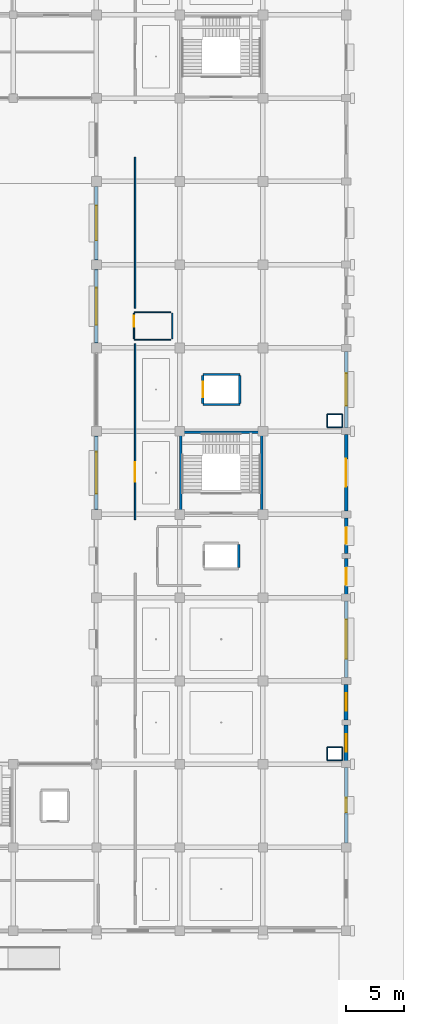
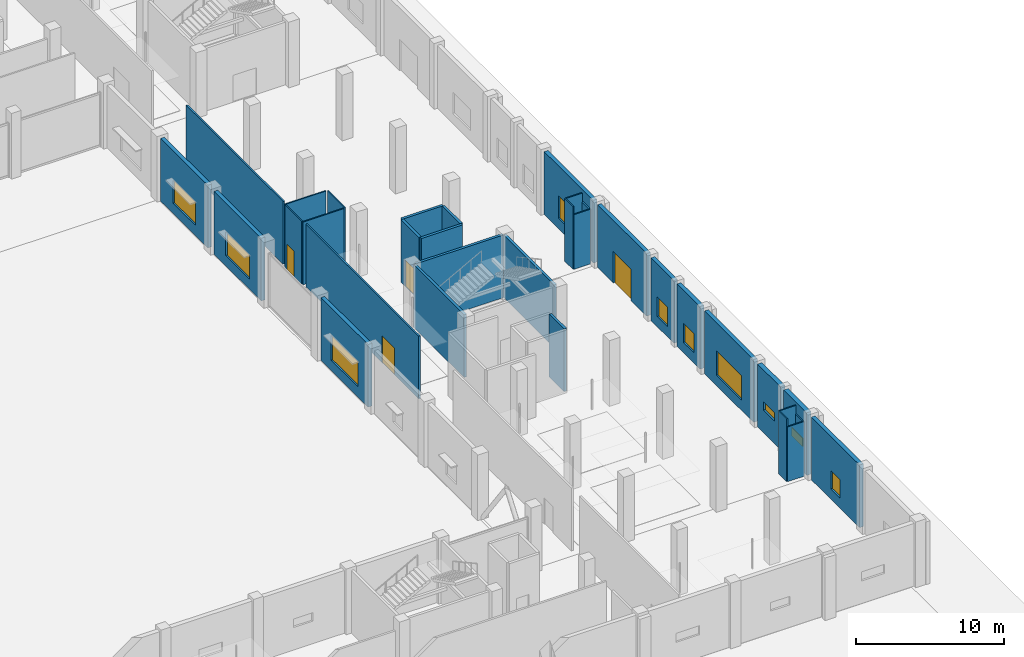
# One storey, part 65 of 90: 33 walls, 10 windows, 4 doors, 14 openings.
"""IFC4 building model written with IfcOpenShell, lengths in metres."""

from ifc_helpers import new_model, si_unit, direction, frame, frame_2d, origin, place, context, subcontext, project, spatial, rectangle, extrude, material, layer, layer_set, type_object, element, fill, save


model = new_model("IFC4")

# Units and contexts
model_context = context("Model", 3, precision=1e-05, world=origin(), true_north=direction((0.0, 1.0)))
body_context = subcontext(model_context, "Body", "Model", "MODEL_VIEW")
ifc_project = project(units=[si_unit("LENGTHUNIT", "METRE"), si_unit("AREAUNIT", "SQUARE_METRE"), si_unit("VOLUMEUNIT", "CUBIC_METRE"), si_unit("PLANEANGLEUNIT", "RADIAN"), si_unit("MASSUNIT", "GRAM", prefix="KILO")], contexts=[model_context])

# Site, building, storey
site_placement = place(None, origin())
site = spatial("IfcSite", under=ifc_project, at=site_placement, CompositionType="ELEMENT")
building_placement = place(site_placement, origin())
building = spatial("IfcBuilding", under=site, at=building_placement, Name="Kangsadwip Square Police Headquarters", CompositionType="ELEMENT")
storey_placement = place(building_placement, origin())
storey = spatial("IfcBuildingStorey", under=building, at=storey_placement, Name="L00", CompositionType="ELEMENT", Elevation=0.0)

# Wall, opening, door
ifc_material_1 = material(Name="Fire-rated double gypsum board acoustic stud partition", Category="masonry")
ifc_layer_1 = layer(ifc_material_1, 0.1201171875)
ifc_layer_set_1 = layer_set([ifc_layer_1], Name="Fire-rated double gypsum board acoustic stud partition")
wall_type_1 = type_object("IfcWallType", Name="AcousticPartition120", PredefinedType="PARTITIONING", material=ifc_layer_set_1)
wall_1_placement = place(storey_placement, frame((147.35009765625, 57.14990234375, 0.0), z_axis=(0.0, 0.0, 1.0), x_axis=(0.0, 1.0, 0.0)))
wall_1 = element("IfcWall", 1, at=wall_1_placement, inside=storey, type_object=wall_type_1, Name="Interior Wall WI-L00-0697", PredefinedType="PARTITIONING", context=body_context, shape_type="SweptSolid", body=[
    extrude(rectangle(XDim=15.22021484375, YDim=0.1201171875, at=frame_2d((7.610107421875, 0.0))), origin(), (0.0, 0.0, 1.0), 5.159912109375),
])
opening_1_placement = place(wall_1_placement, frame((3.2548828125, 0.0, 0.0)))
opening_1 = element("IfcOpeningElement", 2, at=opening_1_placement, cuts=wall_1, Name="Opening ID-17", PredefinedType="OPENING", context=body_context, shape_type="SweptSolid", body=[
    extrude(rectangle(XDim=1.699951171875, YDim=2.199951171875, at=frame_2d((0.85009765625, 1.10009765625))), frame((0.0, 0.070068359375, 0.0), z_axis=(0.0, -1.0, 0.0), x_axis=(1.0, 0.0, 0.0)), (0.0, 0.0, 1.0), 0.14013671875),
])
ifc_material_2 = material(Name="Insulated galvanized steel fire-rated door assembly", Category="steel")
door_type_1 = type_object("IfcDoorType", Name="LabDoubleDoor1700x2200", OperationType="DOUBLE_DOOR_SINGLE_SWING", PredefinedType="DOOR", material=ifc_material_2)
door_1_placement = place(opening_1_placement, origin())
door_1 = element("IfcDoor", 3, at=door_1_placement, inside=storey, type_object=door_type_1, Name="Interior Door ID-L00-0146", OperationType="DOUBLE_DOOR_SINGLE_SWING", OverallHeight=2.199951171875, OverallWidth=1.699951171875, PredefinedType="DOOR", context=body_context, shape_type="SweptSolid", body=[
    extrude(rectangle(XDim=1.699951171875, YDim=2.199951171875, at=frame_2d((0.85009765625, 1.10009765625))), frame((0.0, 0.02490234375, 0.0), z_axis=(0.0, -1.0, 0.0), x_axis=(1.0, 0.0, 0.0)), (0.0, 0.0, 1.0), 0.050048828125),
])
fill(opening_1, door_1)

# Walls
wall_2_placement = place(storey_placement, frame((147.35009765625, 75.429931640625, 0.0), z_axis=(0.0, 0.0, 1.0), x_axis=(0.0, 1.0, 0.0)))
element("IfcWall", 4, at=wall_2_placement, inside=storey, type_object=wall_type_1, Name="Interior Wall WI-L00-0698", PredefinedType="PARTITIONING", context=body_context, shape_type="SweptSolid", body=[
    extrude(rectangle(XDim=13.070068359375, YDim=0.1201171875, at=frame_2d((6.53515625, 0.0))), origin(), (0.0, 0.0, 1.0), 5.159912109375),
])
ifc_material_3 = material(Name="Concrete M40 (40 MPa)", Category="concrete")
ifc_layer_2 = layer(ifc_material_3, 0.199951171875)
ifc_layer_set_2 = layer_set([ifc_layer_2], Name="Concrete M40 (40 MPa)")
wall_type_2 = type_object("IfcWallType", Name="CoreShearWall200", PredefinedType="SHEAR", material=ifc_layer_set_2)
for number, where, z_axis, x_axis, name in (
    (5, (151.39990234375, 64.699951171875, 0.0), (0.0, 0.0, 1.0), (1.0, 0.0, 0.0), "Interior Wall WI-L00-0094"),
    (6, (151.300048828125, 57.800048828125, 0.0), (0.0, 0.0, 1.0), (0.0, 1.0, 0.0), "Interior Wall WI-L00-0095"),
    (7, (158.300048828125, 57.800048828125, 0.0), (0.0, 0.0, 1.0), (0.0, 1.0, 0.0), "Interior Wall WI-L00-0096"),
):
    element("IfcWall", number, at=place(storey_placement, frame(where, z_axis=z_axis, x_axis=x_axis)), inside=storey, type_object=wall_type_2, Name=name, PredefinedType="SHEAR", context=body_context, shape_type="SweptSolid", body=[
        extrude(rectangle(XDim=6.800048828125, YDim=0.199951171875, at=frame_2d((3.39990234375, 0.0))), origin(), (0.0, 0.0, 1.0), 5.159912109375),
    ])
wall_3_placement = place(storey_placement, frame((156.300048828125, 53.0, 0.0), z_axis=(0.0, 0.0, 1.0), x_axis=(0.0, 1.0, 0.0)))
element("IfcWall", 8, at=wall_3_placement, inside=storey, type_object=wall_type_2, Name="Interior Wall WI-L00-0318", PredefinedType="SHEAR", context=body_context, shape_type="SweptSolid", body=[
    extrude(rectangle(XDim=2.0, YDim=0.199951171875, at=frame_2d((1.0, 0.0))), origin(), (0.0, 0.0, 1.0), 5.159912109375),
])
for number, where, z_axis, x_axis, name in (
    (9, (153.199951171875, 67.10009765625, 0.0), (0.0, 0.0, 1.0), (1.0, 0.0, 0.0), "Interior Wall WI-L00-0431"),
    (10, (153.199951171875, 69.699951171875, 0.0), (0.0, 0.0, 1.0), (1.0, 0.0, 0.0), "Interior Wall WI-L00-0432"),
):
    element("IfcWall", number, at=place(storey_placement, frame(where, z_axis=z_axis, x_axis=x_axis)), inside=storey, type_object=wall_type_2, Name=name, PredefinedType="SHEAR", context=body_context, shape_type="SweptSolid", body=[
        extrude(rectangle(XDim=3.199951171875, YDim=0.199951171875, at=frame_2d((1.60009765625, 0.0))), origin(), (0.0, 0.0, 1.0), 5.159912109375),
    ])

# Wall, opening, door
wall_4_placement = place(storey_placement, frame((153.199951171875, 67.199951171875, 0.0), z_axis=(0.0, 0.0, 1.0), x_axis=(0.0, 1.0, 0.0)))
wall_4 = element("IfcWall", 11, at=wall_4_placement, inside=storey, type_object=wall_type_2, Name="Interior Wall WI-L00-0433", PredefinedType="SHEAR", context=body_context, shape_type="SweptSolid", body=[
    extrude(rectangle(XDim=2.400146484375, YDim=0.199951171875, at=frame_2d((1.2001953125, 0.0))), origin(), (0.0, 0.0, 1.0), 5.159912109375),
])
opening_2_placement = place(wall_4_placement, frame((0.52490234375, 0.0, 0.0)))
opening_2 = element("IfcOpeningElement", 12, at=opening_2_placement, cuts=wall_4, Name="Opening LD-046", PredefinedType="OPENING", context=body_context, shape_type="SweptSolid", body=[
    extrude(rectangle(XDim=1.35009765625, YDim=2.199951171875, at=frame_2d((0.675048828125, 1.10009765625))), frame((0.0, 0.10986328125, 0.0), z_axis=(0.0, -1.0, 0.0), x_axis=(1.0, 0.0, 0.0)), (0.0, 0.0, 1.0), 0.219970703125),
])
ifc_material_4 = material(Name="Brushed stainless steel automatic sliding lift landing door", Category="steel")
door_type_2 = type_object("IfcDoorType", Name="LiftLandingDoor1350x2200", OperationType="DOUBLE_DOOR_SLIDING", PredefinedType="DOOR", material=ifc_material_4)
door_2_placement = place(opening_2_placement, origin())
door_2 = element("IfcDoor", 13, at=door_2_placement, inside=storey, type_object=door_type_2, Name="Interior Door LD-046", OperationType="DOUBLE_DOOR_SLIDING", OverallHeight=2.199951171875, OverallWidth=1.35009765625, PredefinedType="DOOR", context=body_context, shape_type="SweptSolid", body=[
    extrude(rectangle(XDim=1.35009765625, YDim=2.199951171875, at=frame_2d((0.675048828125, 1.10009765625))), frame((0.0, 0.02490234375, 0.0), z_axis=(0.0, -1.0, 0.0), x_axis=(1.0, 0.0, 0.0)), (0.0, 0.0, 1.0), 0.050048828125),
])
fill(opening_2, door_2)

# Wall
wall_5_placement = place(storey_placement, frame((156.39990234375, 67.199951171875, 0.0), z_axis=(0.0, 0.0, 1.0), x_axis=(0.0, 1.0, 0.0)))
element("IfcWall", 14, at=wall_5_placement, inside=storey, type_object=wall_type_2, Name="Interior Wall WI-L00-0434", PredefinedType="SHEAR", context=body_context, shape_type="SweptSolid", body=[
    extrude(rectangle(XDim=2.400146484375, YDim=0.199951171875, at=frame_2d((1.2001953125, 0.0))), origin(), (0.0, 0.0, 1.0), 5.159912109375),
])

# Wall, opening, window
ifc_material_5 = material(Name="Concrete M40 (40 MPa)", Category="concrete")
ifc_layer_3 = layer(ifc_material_5, 0.35009765625)
ifc_layer_set_3 = layer_set([ifc_layer_3], Name="Concrete M40 (40 MPa)")
wall_type_3 = type_object("IfcWallType", Name="CustodyPerimeterWall350", PredefinedType="SOLIDWALL", material=ifc_layer_set_3)
wall_6_placement = place(storey_placement, frame((165.60009765625, 36.294921875, 0.0), z_axis=(0.0, 0.0, 1.0), x_axis=(0.0, 1.0, 0.0)))
wall_6 = element("IfcWall", 15, at=wall_6_placement, inside=storey, type_object=wall_type_3, Name="Exterior Wall WE-L00-203", PredefinedType="SOLIDWALL", context=body_context, shape_type="SweptSolid", body=[
    extrude(rectangle(XDim=3.0849609375, YDim=0.35009765625, at=frame_2d((1.54248046875, 0.0))), origin(), (0.0, 0.0, 1.0), 5.159912109375),
])
opening_3_placement = place(wall_6_placement, frame((0.79248046875, 0.0, 1.85009765625)))
opening_3 = element("IfcOpeningElement", 16, at=opening_3_placement, cuts=wall_6, Name="Opening WN-17", PredefinedType="OPENING", context=body_context, shape_type="SweptSolid", body=[
    extrude(rectangle(XDim=1.5, YDim=0.699951171875, at=frame_2d((0.75, 0.35009765625))), frame((0.0, 0.18505859375, 0.0), z_axis=(0.0, -1.0, 0.0), x_axis=(1.0, 0.0, 0.0)), (0.0, 0.0, 1.0), 0.3701171875),
])
ifc_material_6 = material(Name="Double-glazed solar-control low-E safety glass", Category="glass")
window_type_1 = type_object("IfcWindowType", Name="CustodyClerestoryWin1500x700", PartitioningType="SINGLE_PANEL", PredefinedType="WINDOW", material=ifc_material_6)
window_1_placement = place(opening_3_placement, origin())
window_1 = element("IfcWindow", 17, at=window_1_placement, inside=storey, type_object=window_type_1, Name="Window WN-L00-0058", OverallHeight=0.699951171875, OverallWidth=1.5, PartitioningType="SINGLE_PANEL", PredefinedType="WINDOW", context=body_context, shape_type="SweptSolid", body=[
    extrude(rectangle(XDim=1.5, YDim=0.699951171875, at=frame_2d((0.75, 0.35009765625))), frame((0.0, 0.030029296875, 0.0), z_axis=(0.0, -1.0, 0.0), x_axis=(1.0, 0.0, 0.0)), (0.0, 0.0, 1.0), 0.06005859375),
])
fill(opening_3, window_1)

wall_7_placement = place(storey_placement, frame((165.60009765625, 39.820068359375, 0.0), z_axis=(0.0, 0.0, 1.0), x_axis=(0.0, 1.0, 0.0)))
wall_7 = element("IfcWall", 18, at=wall_7_placement, inside=storey, type_object=wall_type_3, Name="Exterior Wall WE-L00-204", PredefinedType="SOLIDWALL", context=body_context, shape_type="SweptSolid", body=[
    extrude(rectangle(XDim=3.0849609375, YDim=0.35009765625, at=frame_2d((1.54248046875, 0.0))), origin(), (0.0, 0.0, 1.0), 5.159912109375),
])
opening_4_placement = place(wall_7_placement, frame((0.79248046875, 0.0, 1.85009765625)))
opening_4 = element("IfcOpeningElement", 19, at=opening_4_placement, cuts=wall_7, Name="Opening WN-17", PredefinedType="OPENING", context=body_context, shape_type="SweptSolid", body=[
    extrude(rectangle(XDim=1.5, YDim=0.699951171875, at=frame_2d((0.75, 0.35009765625))), frame((0.0, 0.18505859375, 0.0), z_axis=(0.0, -1.0, 0.0), x_axis=(1.0, 0.0, 0.0)), (0.0, 0.0, 1.0), 0.3701171875),
])
window_2_placement = place(opening_4_placement, origin())
window_2 = element("IfcWindow", 20, at=window_2_placement, inside=storey, type_object=window_type_1, Name="Window WN-L00-0059", OverallHeight=0.699951171875, OverallWidth=1.5, PartitioningType="SINGLE_PANEL", PredefinedType="WINDOW", context=body_context, shape_type="SweptSolid", body=[
    extrude(rectangle(XDim=1.5, YDim=0.699951171875, at=frame_2d((0.75, 0.35009765625))), frame((0.0, 0.030029296875, 0.0), z_axis=(0.0, -1.0, 0.0), x_axis=(1.0, 0.0, 0.0)), (0.0, 0.0, 1.0), 0.06005859375),
])
fill(opening_4, window_2)

ifc_material_7 = material(Name="Glazed architectural terracotta masonry rainscreen", Category="masonry")
ifc_layer_4 = layer(ifc_material_7, 0.300048828125)
ifc_layer_set_4 = layer_set([ifc_layer_4], Name="Glazed architectural terracotta masonry rainscreen")
wall_type_4 = type_object("IfcWallType", Name="PlinthArcadeWall300", PredefinedType="SOLIDWALL", material=ifc_layer_set_4)
wall_8_placement = place(storey_placement, frame((144.0, 58.02001953125, 0.0), z_axis=(0.0, 0.0, 1.0), x_axis=(0.0, 1.0, 0.0)))
wall_8 = element("IfcWall", 21, at=wall_8_placement, inside=storey, type_object=wall_type_4, Name="Exterior Wall WE-L00-197", PredefinedType="SOLIDWALL", context=body_context, shape_type="SweptSolid", body=[
    extrude(rectangle(XDim=6.35986328125, YDim=0.300048828125, at=frame_2d((3.179931640625, 0.0))), origin(), (0.0, 0.0, 1.0), 5.159912109375),
])
opening_5_placement = place(wall_8_placement, frame((1.3798828125, 0.0, 0.85009765625)))
opening_5 = element("IfcOpeningElement", 22, at=opening_5_placement, cuts=wall_8, Name="Opening WN-01", PredefinedType="OPENING", context=body_context, shape_type="SweptSolid", body=[
    extrude(rectangle(XDim=3.60009765625, YDim=2.050048828125, at=frame_2d((1.800048828125, 1.02490234375))), frame((0.0, 0.159912109375, 0.0), z_axis=(0.0, -1.0, 0.0), x_axis=(1.0, 0.0, 0.0)), (0.0, 0.0, 1.0), 0.320068359375),
])
ifc_material_8 = material(Name="Double-glazed solar-control low-E safety glass", Category="glass")
window_type_2 = type_object("IfcWindowType", Name="ChicagoTripartiteWin3600x2050", PartitioningType="TRIPLE_PANEL_HORIZONTAL", PredefinedType="WINDOW", material=ifc_material_8)
window_3_placement = place(opening_5_placement, origin())
window_3 = element("IfcWindow", 23, at=window_3_placement, inside=storey, type_object=window_type_2, Name="Window WN-L00-0052", OverallHeight=2.050048828125, OverallWidth=3.60009765625, PartitioningType="SINGLE_PANEL", PredefinedType="WINDOW", context=body_context, shape_type="SweptSolid", body=[
    extrude(rectangle(XDim=3.60009765625, YDim=2.050048828125, at=frame_2d((1.800048828125, 1.02490234375))), frame((0.0, 0.030029296875, 0.0), z_axis=(0.0, -1.0, 0.0), x_axis=(1.0, 0.0, 0.0)), (0.0, 0.0, 1.0), 0.06005859375),
])
fill(opening_5, window_3)

wall_9_placement = place(storey_placement, frame((144.0, 72.419921875, 0.0), z_axis=(0.0, 0.0, 1.0), x_axis=(0.0, 1.0, 0.0)))
wall_9 = element("IfcWall", 24, at=wall_9_placement, inside=storey, type_object=wall_type_4, Name="Exterior Wall WE-L00-198", PredefinedType="SOLIDWALL", context=body_context, shape_type="SweptSolid", body=[
    extrude(rectangle(XDim=6.360107421875, YDim=0.300048828125, at=frame_2d((3.18017578125, 0.0))), origin(), (0.0, 0.0, 1.0), 5.159912109375),
])
opening_6_placement = place(wall_9_placement, frame((1.580078125, 0.0, 0.85009765625)))
opening_6 = element("IfcOpeningElement", 25, at=opening_6_placement, cuts=wall_9, Name="Opening WN-03", PredefinedType="OPENING", context=body_context, shape_type="SweptSolid", body=[
    extrude(rectangle(XDim=3.199951171875, YDim=1.949951171875, at=frame_2d((1.60009765625, 0.97509765625))), frame((0.0, 0.159912109375, 0.0), z_axis=(0.0, -1.0, 0.0), x_axis=(1.0, 0.0, 0.0)), (0.0, 0.0, 1.0), 0.320068359375),
])
ifc_material_9 = material(Name="Double-glazed solar-control low-E safety glass", Category="glass")
window_type_3 = type_object("IfcWindowType", Name="ChicagoTripartiteWin3200x1950", PartitioningType="TRIPLE_PANEL_HORIZONTAL", PredefinedType="WINDOW", material=ifc_material_9)
window_4_placement = place(opening_6_placement, origin())
window_4 = element("IfcWindow", 26, at=window_4_placement, inside=storey, type_object=window_type_3, Name="Window WN-L00-0053", OverallHeight=1.949951171875, OverallWidth=3.199951171875, PartitioningType="SINGLE_PANEL", PredefinedType="WINDOW", context=body_context, shape_type="SweptSolid", body=[
    extrude(rectangle(XDim=3.199951171875, YDim=1.949951171875, at=frame_2d((1.60009765625, 0.97509765625))), frame((0.0, 0.030029296875, 0.0), z_axis=(0.0, -1.0, 0.0), x_axis=(1.0, 0.0, 0.0)), (0.0, 0.0, 1.0), 0.06005859375),
])
fill(opening_6, window_4)

wall_10_placement = place(storey_placement, frame((144.0, 79.6201171875, 0.0), z_axis=(0.0, 0.0, 1.0), x_axis=(0.0, 1.0, 0.0)))
wall_10 = element("IfcWall", 27, at=wall_10_placement, inside=storey, type_object=wall_type_4, Name="Exterior Wall WE-L00-199", PredefinedType="SOLIDWALL", context=body_context, shape_type="SweptSolid", body=[
    extrude(rectangle(XDim=6.35986328125, YDim=0.300048828125, at=frame_2d((3.179931640625, 0.0))), origin(), (0.0, 0.0, 1.0), 5.159912109375),
])
opening_7_placement = place(wall_10_placement, frame((1.679931640625, 0.0, 0.85009765625)))
opening_7 = element("IfcOpeningElement", 28, at=opening_7_placement, cuts=wall_10, Name="Opening WN-04", PredefinedType="OPENING", context=body_context, shape_type="SweptSolid", body=[
    extrude(rectangle(XDim=3.0, YDim=1.89990234375, at=frame_2d((1.5, 0.949951171875))), frame((0.0, 0.159912109375, 0.0), z_axis=(0.0, -1.0, 0.0), x_axis=(1.0, 0.0, 0.0)), (0.0, 0.0, 1.0), 0.320068359375),
])
ifc_material_10 = material(Name="Double-glazed solar-control low-E safety glass", Category="glass")
window_type_4 = type_object("IfcWindowType", Name="ChicagoTripartiteWin3000x1900", PartitioningType="TRIPLE_PANEL_HORIZONTAL", PredefinedType="WINDOW", material=ifc_material_10)
window_5_placement = place(opening_7_placement, origin())
window_5 = element("IfcWindow", 29, at=window_5_placement, inside=storey, type_object=window_type_4, Name="Window WN-L00-0054", OverallHeight=1.89990234375, OverallWidth=3.0, PartitioningType="SINGLE_PANEL", PredefinedType="WINDOW", context=body_context, shape_type="SweptSolid", body=[
    extrude(rectangle(XDim=3.0, YDim=1.89990234375, at=frame_2d((1.5, 0.949951171875))), frame((0.0, 0.030029296875, 0.0), z_axis=(0.0, -1.0, 0.0), x_axis=(1.0, 0.0, 0.0)), (0.0, 0.0, 1.0), 0.06005859375),
])
fill(opening_7, window_5)

wall_11_placement = place(storey_placement, frame((165.60009765625, 29.195068359375, 0.0), z_axis=(0.0, 0.0, 1.0), x_axis=(0.0, 1.0, 0.0)))
wall_11 = element("IfcWall", 30, at=wall_11_placement, inside=storey, type_object=wall_type_4, Name="Exterior Wall WE-L00-202", PredefinedType="SOLIDWALL", context=body_context, shape_type="SweptSolid", body=[
    extrude(rectangle(XDim=6.510009765625, YDim=0.300048828125, at=frame_2d((3.2548828125, 0.0))), origin(), (0.0, 0.0, 1.0), 5.159912109375),
])
opening_8_placement = place(wall_11_placement, frame((2.6298828125, 0.0, 0.85009765625)))
opening_8 = element("IfcOpeningElement", 31, at=opening_8_placement, cuts=wall_11, Name="Opening WN-14", PredefinedType="OPENING", context=body_context, shape_type="SweptSolid", body=[
    extrude(rectangle(XDim=1.25, YDim=1.5, at=frame_2d((0.625, 0.75))), frame((0.0, 0.159912109375, 0.0), z_axis=(0.0, -1.0, 0.0), x_axis=(1.0, 0.0, 0.0)), (0.0, 0.0, 1.0), 0.320068359375),
])
ifc_material_11 = material(Name="Double-glazed solar-control low-E safety glass", Category="glass")
window_type_5 = type_object("IfcWindowType", Name="OfficeCasementWin1250x1500", PartitioningType="SINGLE_PANEL", PredefinedType="WINDOW", material=ifc_material_11)
window_6_placement = place(opening_8_placement, origin())
window_6 = element("IfcWindow", 32, at=window_6_placement, inside=storey, type_object=window_type_5, Name="Window WN-L00-0057", OverallHeight=1.5, OverallWidth=1.25, PartitioningType="SINGLE_PANEL", PredefinedType="WINDOW", context=body_context, shape_type="SweptSolid", body=[
    extrude(rectangle(XDim=1.25, YDim=1.5, at=frame_2d((0.625, 0.75))), frame((0.0, 0.030029296875, 0.0), z_axis=(0.0, -1.0, 0.0), x_axis=(1.0, 0.0, 0.0)), (0.0, 0.0, 1.0), 0.06005859375),
])
fill(opening_8, window_6)

wall_12_placement = place(storey_placement, frame((165.60009765625, 43.4951171875, 0.0), z_axis=(0.0, 0.0, 1.0), x_axis=(0.0, 1.0, 0.0)))
wall_12 = element("IfcWall", 33, at=wall_12_placement, inside=storey, type_object=wall_type_4, Name="Exterior Wall WE-L00-205", PredefinedType="SOLIDWALL", context=body_context, shape_type="SweptSolid", body=[
    extrude(rectangle(XDim=6.60986328125, YDim=0.300048828125, at=frame_2d((3.304931640625, 0.0))), origin(), (0.0, 0.0, 1.0), 5.159912109375),
])
opening_9_placement = place(wall_12_placement, frame((1.60498046875, 0.0, 0.85009765625)))
opening_9 = element("IfcOpeningElement", 34, at=opening_9_placement, cuts=wall_12, Name="Opening WN-02", PredefinedType="OPENING", context=body_context, shape_type="SweptSolid", body=[
    extrude(rectangle(XDim=3.39990234375, YDim=2.0, at=frame_2d((1.699951171875, 1.0))), frame((0.0, 0.159912109375, 0.0), z_axis=(0.0, -1.0, 0.0), x_axis=(1.0, 0.0, 0.0)), (0.0, 0.0, 1.0), 0.320068359375),
])
ifc_material_12 = material(Name="Double-glazed solar-control low-E safety glass", Category="glass")
window_type_6 = type_object("IfcWindowType", Name="ChicagoTripartiteWin3400x2000", PartitioningType="TRIPLE_PANEL_HORIZONTAL", PredefinedType="WINDOW", material=ifc_material_12)
window_7_placement = place(opening_9_placement, origin())
window_7 = element("IfcWindow", 35, at=window_7_placement, inside=storey, type_object=window_type_6, Name="Window WN-L00-0060", OverallHeight=2.0, OverallWidth=3.39990234375, PartitioningType="SINGLE_PANEL", PredefinedType="WINDOW", context=body_context, shape_type="SweptSolid", body=[
    extrude(rectangle(XDim=3.39990234375, YDim=2.0, at=frame_2d((1.699951171875, 1.0))), frame((0.0, 0.030029296875, 0.0), z_axis=(0.0, -1.0, 0.0), x_axis=(1.0, 0.0, 0.0)), (0.0, 0.0, 1.0), 0.06005859375),
])
fill(opening_9, window_7)

wall_13_placement = place(storey_placement, frame((165.60009765625, 50.695068359375, 0.0), z_axis=(0.0, 0.0, 1.0), x_axis=(0.0, 1.0, 0.0)))
wall_13 = element("IfcWall", 36, at=wall_13_placement, inside=storey, type_object=wall_type_4, Name="Exterior Wall WE-L00-206", PredefinedType="SOLIDWALL", context=body_context, shape_type="SweptSolid", body=[
    extrude(rectangle(XDim=3.0849609375, YDim=0.300048828125, at=frame_2d((1.54248046875, 0.0))), origin(), (0.0, 0.0, 1.0), 5.159912109375),
])
opening_10_placement = place(wall_13_placement, frame((0.842529296875, 0.0, 0.85009765625)))
opening_10 = element("IfcOpeningElement", 37, at=opening_10_placement, cuts=wall_13, Name="Opening WN-13", PredefinedType="OPENING", context=body_context, shape_type="SweptSolid", body=[
    extrude(rectangle(XDim=1.39990234375, YDim=1.60009765625, at=frame_2d((0.699951171875, 0.800048828125))), frame((0.0, 0.159912109375, 0.0), z_axis=(0.0, -1.0, 0.0), x_axis=(1.0, 0.0, 0.0)), (0.0, 0.0, 1.0), 0.320068359375),
])
ifc_material_13 = material(Name="Double-glazed solar-control low-E safety glass", Category="glass")
window_type_7 = type_object("IfcWindowType", Name="OfficeCasementWin1400x1600", PartitioningType="SINGLE_PANEL", PredefinedType="WINDOW", material=ifc_material_13)
window_8_placement = place(opening_10_placement, origin())
window_8 = element("IfcWindow", 38, at=window_8_placement, inside=storey, type_object=window_type_7, Name="Window WN-L00-0061", OverallHeight=1.60009765625, OverallWidth=1.39990234375, PartitioningType="SINGLE_PANEL", PredefinedType="WINDOW", context=body_context, shape_type="SweptSolid", body=[
    extrude(rectangle(XDim=1.39990234375, YDim=1.60009765625, at=frame_2d((0.699951171875, 0.800048828125))), frame((0.0, 0.030029296875, 0.0), z_axis=(0.0, -1.0, 0.0), x_axis=(1.0, 0.0, 0.0)), (0.0, 0.0, 1.0), 0.06005859375),
])
fill(opening_10, window_8)

wall_14_placement = place(storey_placement, frame((165.60009765625, 54.219970703125, 0.0), z_axis=(0.0, 0.0, 1.0), x_axis=(0.0, 1.0, 0.0)))
wall_14 = element("IfcWall", 39, at=wall_14_placement, inside=storey, type_object=wall_type_4, Name="Exterior Wall WE-L00-207", PredefinedType="SOLIDWALL", context=body_context, shape_type="SweptSolid", body=[
    extrude(rectangle(XDim=3.0849609375, YDim=0.300048828125, at=frame_2d((1.54248046875, 0.0))), origin(), (0.0, 0.0, 1.0), 5.159912109375),
])
opening_11_placement = place(wall_14_placement, frame((0.842529296875, 0.0, 0.85009765625)))
opening_11 = element("IfcOpeningElement", 40, at=opening_11_placement, cuts=wall_14, Name="Opening WN-13", PredefinedType="OPENING", context=body_context, shape_type="SweptSolid", body=[
    extrude(rectangle(XDim=1.39990234375, YDim=1.60009765625, at=frame_2d((0.699951171875, 0.800048828125))), frame((0.0, 0.159912109375, 0.0), z_axis=(0.0, -1.0, 0.0), x_axis=(1.0, 0.0, 0.0)), (0.0, 0.0, 1.0), 0.320068359375),
])
window_9_placement = place(opening_11_placement, origin())
window_9 = element("IfcWindow", 41, at=window_9_placement, inside=storey, type_object=window_type_7, Name="Window WN-L00-0062", OverallHeight=1.60009765625, OverallWidth=1.39990234375, PartitioningType="SINGLE_PANEL", PredefinedType="WINDOW", context=body_context, shape_type="SweptSolid", body=[
    extrude(rectangle(XDim=1.39990234375, YDim=1.60009765625, at=frame_2d((0.699951171875, 0.800048828125))), frame((0.0, 0.030029296875, 0.0), z_axis=(0.0, -1.0, 0.0), x_axis=(1.0, 0.0, 0.0)), (0.0, 0.0, 1.0), 0.06005859375),
])
fill(opening_11, window_9)

# Wall, opening, door
wall_15_placement = place(storey_placement, frame((165.60009765625, 64.5048828125, 0.0), z_axis=(0.0, 0.0, 1.0), x_axis=(0.0, -1.0, 0.0)))
wall_15 = element("IfcWall", 42, at=wall_15_placement, inside=storey, type_object=wall_type_4, Name="Exterior Wall WE-L00-208", PredefinedType="SOLIDWALL", context=body_context, shape_type="SweptSolid", body=[
    extrude(rectangle(XDim=6.60986328125, YDim=0.300048828125, at=frame_2d((3.304931640625, 0.0))), origin(), (0.0, 0.0, 1.0), 5.159912109375),
])
opening_12_placement = place(wall_15_placement, frame((2.10498046875, 0.0, 0.0)))
opening_12 = element("IfcOpeningElement", 43, at=opening_12_placement, cuts=wall_15, Name="Opening ED-03", PredefinedType="OPENING", context=body_context, shape_type="SweptSolid", body=[
    extrude(rectangle(XDim=2.39990234375, YDim=2.60009765625, at=frame_2d((1.199951171875, 1.300048828125))), frame((0.0, 0.159912109375, 0.0), z_axis=(0.0, -1.0, 0.0), x_axis=(1.0, 0.0, 0.0)), (0.0, 0.0, 1.0), 0.320068359375),
])
ifc_material_14 = material(Name="Galvanized hollow-metal architectural steel door assembly", Category="steel")
door_type_3 = type_object("IfcDoorType", Name="CivicEntranceDoubleDoor2400x2600", OperationType="DOUBLE_DOOR_SINGLE_SWING", PredefinedType="DOOR", material=ifc_material_14)
door_3_placement = place(opening_12_placement, origin())
door_3 = element("IfcDoor", 44, at=door_3_placement, inside=storey, type_object=door_type_3, Name="Exterior Door ED-03", OperationType="DOUBLE_DOOR_SINGLE_SWING", OverallHeight=2.60009765625, OverallWidth=2.39990234375, PredefinedType="DOOR", context=body_context, shape_type="SweptSolid", body=[
    extrude(rectangle(XDim=2.39990234375, YDim=2.60009765625, at=frame_2d((1.199951171875, 1.300048828125))), frame((0.0, 0.02490234375, 0.0), z_axis=(0.0, -1.0, 0.0), x_axis=(1.0, 0.0, 0.0)), (0.0, 0.0, 1.0), 0.050048828125),
])
fill(opening_12, door_3)

# Wall, opening, window
wall_16_placement = place(storey_placement, frame((165.60009765625, 65.094970703125, 0.0), z_axis=(0.0, 0.0, 1.0), x_axis=(0.0, 1.0, 0.0)))
wall_16 = element("IfcWall", 45, at=wall_16_placement, inside=storey, type_object=wall_type_4, Name="Exterior Wall WE-L00-209", PredefinedType="SOLIDWALL", context=body_context, shape_type="SweptSolid", body=[
    extrude(rectangle(XDim=6.610107421875, YDim=0.300048828125, at=frame_2d((3.30517578125, 0.0))), origin(), (0.0, 0.0, 1.0), 5.159912109375),
])
opening_13_placement = place(wall_16_placement, frame((1.905029296875, 0.0, 0.85009765625)))
opening_13 = element("IfcOpeningElement", 46, at=opening_13_placement, cuts=wall_16, Name="Opening WN-05", PredefinedType="OPENING", context=body_context, shape_type="SweptSolid", body=[
    extrude(rectangle(XDim=2.800048828125, YDim=1.85009765625, at=frame_2d((1.39990234375, 0.925048828125))), frame((0.0, 0.159912109375, 0.0), z_axis=(0.0, -1.0, 0.0), x_axis=(1.0, 0.0, 0.0)), (0.0, 0.0, 1.0), 0.320068359375),
])
ifc_material_15 = material(Name="Double-glazed solar-control low-E safety glass", Category="glass")
window_type_8 = type_object("IfcWindowType", Name="ChicagoDoubleMullWin2800x1850", PartitioningType="DOUBLE_PANEL_VERTICAL", PredefinedType="WINDOW", material=ifc_material_15)
window_10_placement = place(opening_13_placement, origin())
window_10 = element("IfcWindow", 47, at=window_10_placement, inside=storey, type_object=window_type_8, Name="Window WN-L00-0063", OverallHeight=1.85009765625, OverallWidth=2.800048828125, PartitioningType="SINGLE_PANEL", PredefinedType="WINDOW", context=body_context, shape_type="SweptSolid", body=[
    extrude(rectangle(XDim=2.800048828125, YDim=1.85009765625, at=frame_2d((1.39990234375, 0.925048828125))), frame((0.0, 0.030029296875, 0.0), z_axis=(0.0, -1.0, 0.0), x_axis=(1.0, 0.0, 0.0)), (0.0, 0.0, 1.0), 0.06005859375),
])
fill(opening_13, window_10)

# Walls
ifc_material_16 = material(Name="Autoclaved aerated concrete blockwork masonry", Category="masonry")
ifc_layer_5 = layer(ifc_material_16, 0.10009765625)
ifc_layer_set_5 = layer_set([ifc_layer_5], Name="Autoclaved aerated concrete blockwork masonry")
wall_type_5 = type_object("IfcWallType", Name="WetWallPartition100", PredefinedType="PARTITIONING", material=ifc_layer_set_5)
wall_17_placement = place(storey_placement, frame((163.949951171875, 36.35009765625, 0.0), z_axis=(0.0, 0.0, 1.0), x_axis=(1.0, 0.0, 0.0)))
element("IfcWall", 48, at=wall_17_placement, inside=storey, type_object=wall_type_5, Name="Interior Wall WI-L00-0579", PredefinedType="PARTITIONING", context=body_context, shape_type="SweptSolid", body=[
    extrude(rectangle(XDim=1.300048828125, YDim=0.10009765625, at=frame_2d((0.64990234375, 0.0))), origin(), (0.0, 0.0, 1.0), 4.5),
])
wall_18_placement = place(storey_placement, frame((163.949951171875, 37.449951171875, 0.0), z_axis=(0.0, 0.0, 1.0), x_axis=(1.0, 0.0, 0.0)))
element("IfcWall", 49, at=wall_18_placement, inside=storey, type_object=wall_type_5, Name="Interior Wall WI-L00-0580", PredefinedType="PARTITIONING", context=body_context, shape_type="SweptSolid", body=[
    extrude(rectangle(XDim=1.300048828125, YDim=0.10009765625, at=frame_2d((0.64990234375, 0.0))), origin(), (0.0, 0.0, 1.0), 5.159912109375),
])
wall_19_placement = place(storey_placement, frame((163.949951171875, 36.35009765625, 0.0), z_axis=(0.0, 0.0, 1.0), x_axis=(0.0, 1.0, 0.0)))
element("IfcWall", 50, at=wall_19_placement, inside=storey, type_object=wall_type_5, Name="Interior Wall WI-L00-0581", PredefinedType="PARTITIONING", context=body_context, shape_type="SweptSolid", body=[
    extrude(rectangle(XDim=1.099853515625, YDim=0.10009765625, at=frame_2d((0.5498046875, 0.0))), origin(), (0.0, 0.0, 1.0), 5.159912109375),
])
wall_20_placement = place(storey_placement, frame((165.25, 36.35009765625, 0.0), z_axis=(0.0, 0.0, 1.0), x_axis=(0.0, 1.0, 0.0)))
element("IfcWall", 51, at=wall_20_placement, inside=storey, type_object=wall_type_5, Name="Interior Wall WI-L00-0582", PredefinedType="PARTITIONING", context=body_context, shape_type="SweptSolid", body=[
    extrude(rectangle(XDim=1.099853515625, YDim=0.10009765625, at=frame_2d((0.5498046875, 0.0))), origin(), (0.0, 0.0, 1.0), 4.449951171875),
])
wall_21_placement = place(storey_placement, frame((163.949951171875, 65.14990234375, 0.0), z_axis=(0.0, 0.0, 1.0), x_axis=(1.0, 0.0, 0.0)))
element("IfcWall", 52, at=wall_21_placement, inside=storey, type_object=wall_type_5, Name="Interior Wall WI-L00-0607", PredefinedType="PARTITIONING", context=body_context, shape_type="SweptSolid", body=[
    extrude(rectangle(XDim=1.300048828125, YDim=0.10009765625, at=frame_2d((0.64990234375, 0.0))), origin(), (0.0, 0.0, 1.0), 4.5),
])
wall_22_placement = place(storey_placement, frame((163.949951171875, 66.25, 0.0), z_axis=(0.0, 0.0, 1.0), x_axis=(1.0, 0.0, 0.0)))
element("IfcWall", 53, at=wall_22_placement, inside=storey, type_object=wall_type_5, Name="Interior Wall WI-L00-0608", PredefinedType="PARTITIONING", context=body_context, shape_type="SweptSolid", body=[
    extrude(rectangle(XDim=1.300048828125, YDim=0.10009765625, at=frame_2d((0.64990234375, 0.0))), origin(), (0.0, 0.0, 1.0), 5.159912109375),
])
wall_23_placement = place(storey_placement, frame((163.949951171875, 65.14990234375, 0.0), z_axis=(0.0, 0.0, 1.0), x_axis=(0.0, 1.0, 0.0)))
element("IfcWall", 54, at=wall_23_placement, inside=storey, type_object=wall_type_5, Name="Interior Wall WI-L00-0609", PredefinedType="PARTITIONING", context=body_context, shape_type="SweptSolid", body=[
    extrude(rectangle(XDim=1.10009765625, YDim=0.10009765625, at=frame_2d((0.550048828125, 0.0))), origin(), (0.0, 0.0, 1.0), 5.159912109375),
])
wall_24_placement = place(storey_placement, frame((165.25, 65.14990234375, 0.0), z_axis=(0.0, 0.0, 1.0), x_axis=(0.0, 1.0, 0.0)))
element("IfcWall", 55, at=wall_24_placement, inside=storey, type_object=wall_type_5, Name="Interior Wall WI-L00-0610", PredefinedType="PARTITIONING", context=body_context, shape_type="SweptSolid", body=[
    extrude(rectangle(XDim=1.10009765625, YDim=0.10009765625, at=frame_2d((0.550048828125, 0.0))), origin(), (0.0, 0.0, 1.0), 4.449951171875),
])

# Wall, opening, door
wall_25_placement = place(storey_placement, frame((147.25, 72.780029296875, 0.0), z_axis=(0.0, 0.0, 1.0), x_axis=(0.0, 1.0, 0.0)))
wall_25 = element("IfcWall", 56, at=wall_25_placement, inside=storey, type_object=wall_type_5, Name="Interior Wall WI-L00-0677", PredefinedType="PARTITIONING", context=body_context, shape_type="SweptSolid", body=[
    extrude(rectangle(XDim=2.239990234375, YDim=0.10009765625, at=frame_2d((1.1201171875, 0.0))), origin(), (0.0, 0.0, 1.0), 5.159912109375),
])
opening_14_placement = place(wall_25_placement, frame((1.0400390625, 0.0, 0.0)))
opening_14 = element("IfcOpeningElement", 57, at=opening_14_placement, cuts=wall_25, Name="Opening WD-09A", PredefinedType="OPENING", context=body_context, shape_type="SweptSolid", body=[
    extrude(rectangle(XDim=0.949951171875, YDim=2.10009765625, at=frame_2d((0.47509765625, 1.050048828125))), frame((0.0, 0.06005859375, 0.0), z_axis=(0.0, -1.0, 0.0), x_axis=(1.0, 0.0, 0.0)), (0.0, 0.0, 1.0), 0.1201171875),
])
ifc_material_17 = material(Name="Solid-core seasoned teak hardwood architectural door", Category="wood")
door_type_4 = type_object("IfcDoorType", Name="AccessibleWcDoor950x2100", OperationType="NOTDEFINED", PredefinedType="DOOR", material=ifc_material_17)
door_4_placement = place(opening_14_placement, origin())
door_4 = element("IfcDoor", 58, at=door_4_placement, inside=storey, type_object=door_type_4, Name="Interior Door ID-L00-0131", OperationType="SINGLE_SWING_RIGHT", OverallHeight=2.10009765625, OverallWidth=0.949951171875, PredefinedType="DOOR", context=body_context, shape_type="SweptSolid", body=[
    extrude(rectangle(XDim=0.949951171875, YDim=2.10009765625, at=frame_2d((0.47509765625, 1.050048828125))), frame((0.0, 0.02490234375, 0.0), z_axis=(0.0, -1.0, 0.0), x_axis=(1.0, 0.0, 0.0)), (0.0, 0.0, 1.0), 0.050048828125),
])
fill(opening_14, door_4)

# Walls
for number, where, z_axis, x_axis, name in (
    (59, (147.25, 72.699951171875, 0.0), (0.0, 0.0, 1.0), (1.0, 0.0, 0.0), "Interior Wall WI-L00-0678"),
    (60, (147.25, 75.10009765625, 0.0), (0.0, 0.0, 1.0), (1.0, 0.0, 0.0), "Interior Wall WI-L00-0679"),
):
    element("IfcWall", number, at=place(storey_placement, frame(where, z_axis=z_axis, x_axis=x_axis)), inside=storey, type_object=wall_type_5, Name=name, PredefinedType="PARTITIONING", context=body_context, shape_type="SweptSolid", body=[
        extrude(rectangle(XDim=3.179931640625, YDim=0.10009765625, at=frame_2d((1.58984375, 0.0))), origin(), (0.0, 0.0, 1.0), 5.159912109375),
    ])
wall_26_placement = place(storey_placement, frame((150.550048828125, 72.780029296875, 0.0), z_axis=(0.0, 0.0, 1.0), x_axis=(0.0, 1.0, 0.0)))
element("IfcWall", 61, at=wall_26_placement, inside=storey, type_object=wall_type_5, Name="Interior Wall WI-L00-0680", PredefinedType="PARTITIONING", context=body_context, shape_type="SweptSolid", body=[
    extrude(rectangle(XDim=2.239990234375, YDim=0.10009765625, at=frame_2d((1.1201171875, 0.0))), origin(), (0.0, 0.0, 1.0), 5.159912109375),
])

save(model, "model.ifc")
